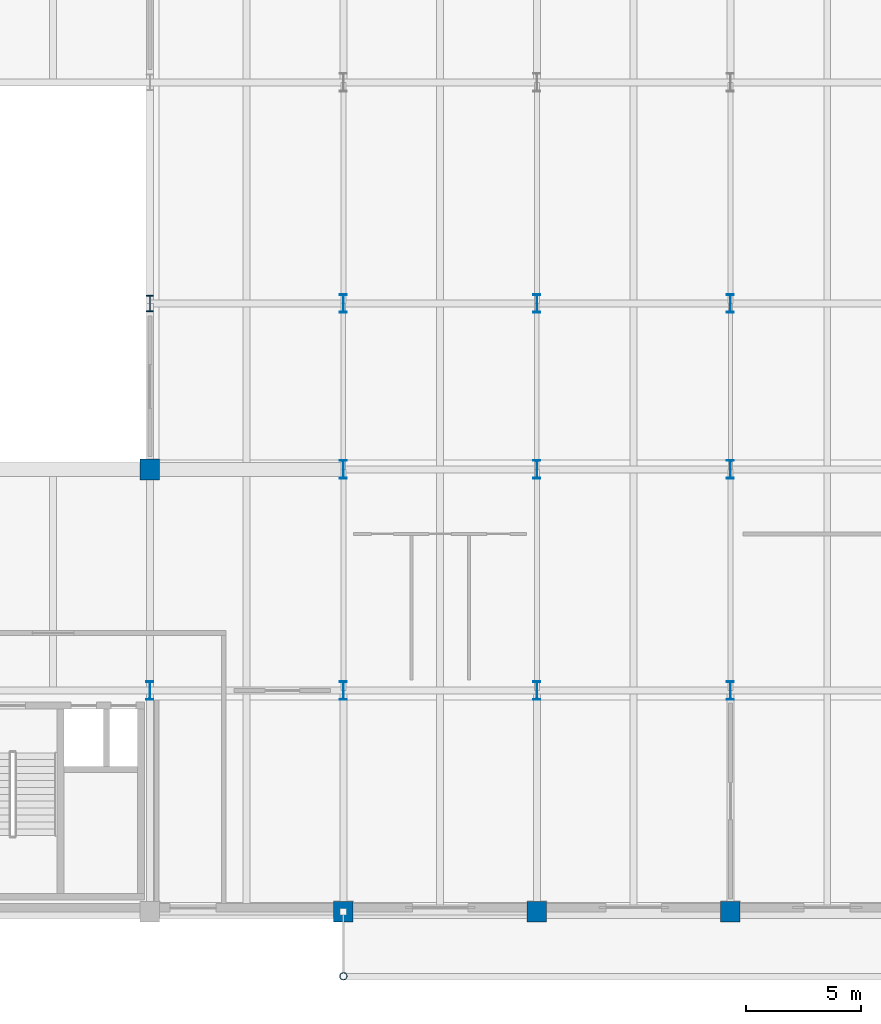
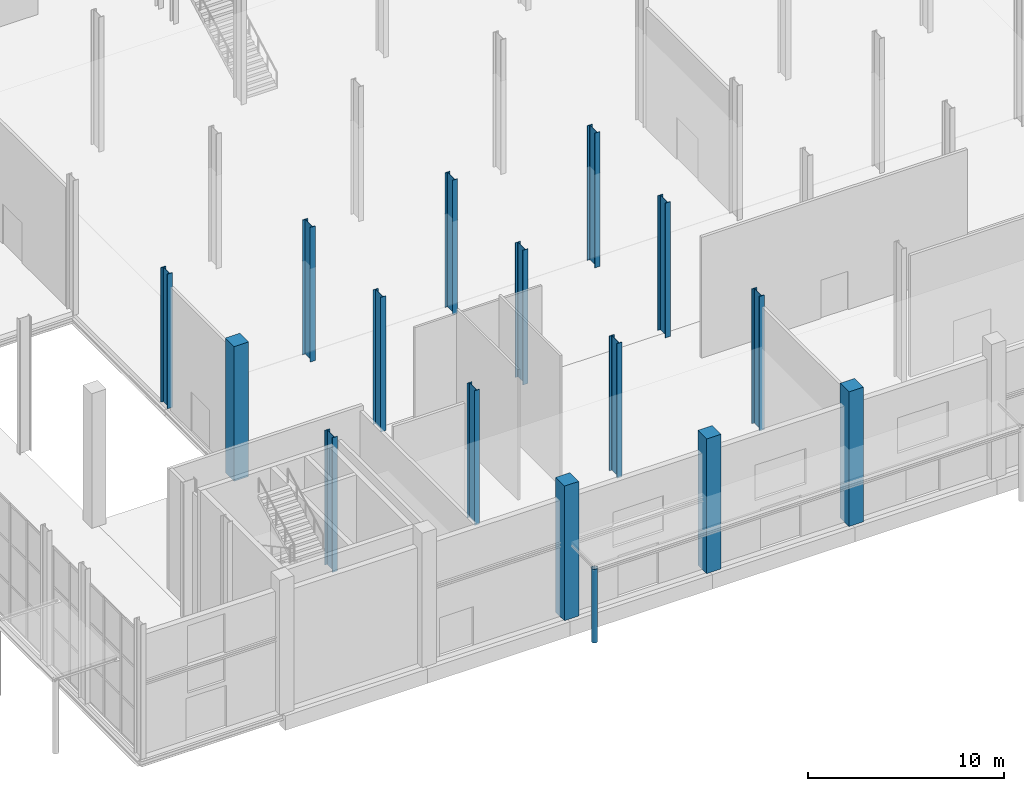
# One storey, part 2 of 131: 16 columns.
"""IFC4 building model written with IfcOpenShell, lengths in metres."""

from ifc_helpers import new_model, si_unit, direction, frame, origin, origin_2d, place, context, subcontext, project, spatial, rectangle, hollow_circle, i_section, extrude, material, material_profile, profile_set, type_object, element, save


model = new_model("IFC4")

# Units and contexts
model_context = context("Model", 3, precision=1e-05, world=origin(), true_north=direction((0.0, 1.0)))
body_context = subcontext(model_context, "Body", "Model", "MODEL_VIEW")
ifc_project = project(units=[si_unit("LENGTHUNIT", "METRE"), si_unit("AREAUNIT", "SQUARE_METRE"), si_unit("VOLUMEUNIT", "CUBIC_METRE"), si_unit("PLANEANGLEUNIT", "RADIAN"), si_unit("MASSUNIT", "GRAM", prefix="KILO")], contexts=[model_context])

# Site, building, storey
site_placement = place(None, origin())
site = spatial("IfcSite", under=ifc_project, at=site_placement, CompositionType="ELEMENT")
building_placement = place(site_placement, origin())
building = spatial("IfcBuilding", under=site, at=building_placement, Name="Veltarok Museum of Natural Sciences", CompositionType="ELEMENT")
storey_placement = place(building_placement, origin())
storey = spatial("IfcBuildingStorey", under=building, at=storey_placement, Name="L00", CompositionType="ELEMENT", Elevation=0.0)

# Columns
ifc_material_1 = material(Name="Steel S355J2", Category="steel")
ifc_material_profile_1 = material_profile(ifc_material_1, hollow_circle(Radius=0.161865234375, WallThickness=0.01611328125, at=origin_2d()), Name="CHS 323.9x16")
ifc_profile_set_1 = profile_set([ifc_material_profile_1], Name="Steel S355J2")
column_type_1 = type_object("IfcColumnType", Name="Canopy Support Column CHS 323.9x16", PredefinedType="COLUMN", material=ifc_profile_set_1)
column_1_placement = place(storey_placement, frame((48.39990234375, -2.800048828125, 0.0), z_axis=(0.0, 0.0, 1.0), x_axis=(1.0, 0.0, 0.0)))
element("IfcColumn", 1, at=column_1_placement, inside=storey, type_object=column_type_1, Name="Entrance Canopy Column CN-S1", PredefinedType="COLUMN", context=body_context, shape_type="SweptSolid", body=[
    extrude(hollow_circle(Radius=0.161865234375, WallThickness=0.01611328125, at=origin_2d()), origin(), (0.0, 0.0, 1.0), 4.60009765625),
])
ifc_material_2 = material(Name="Concrete C40/50", Category="concrete")
ifc_material_profile_2 = material_profile(ifc_material_2, rectangle(XDim=0.85009765625, YDim=0.89990234375, at=origin_2d()), Name="RC 850x900")
ifc_profile_set_2 = profile_set([ifc_material_profile_2], Name="Concrete C40/50")
column_type_2 = type_object("IfcColumnType", Name="Exposed Cabinet Grid Column RC 850x900", PredefinedType="COLUMN", material=ifc_profile_set_2)
for number, where, z_axis, x_axis, name in (
    (2, (40.0, 19.199951171875, 0.0), (0.0, 0.0, 1.0), (1.0, 0.0, 0.0), "Column COL-CAB01 L00 5/C"),
    (3, (48.39990234375, 0.0, 0.0), (0.0, 0.0, 1.0), (1.0, 0.0, 0.0), "Column COL-CAB01 L00 6/A"),
    (4, (56.800048828125, 0.0, 0.0), (0.0, 0.0, 1.0), (1.0, 0.0, 0.0), "Column COL-CAB01 L00 7/A"),
    (5, (65.199951171875, 0.0, 0.0), (0.0, 0.0, 1.0), (1.0, 0.0, 0.0), "Column COL-CAB01 L00 8/A"),
):
    element("IfcColumn", number, at=place(storey_placement, frame(where, z_axis=z_axis, x_axis=x_axis)), inside=storey, type_object=column_type_2, Name=name, PredefinedType="COLUMN", context=body_context, shape_type="SweptSolid", body=[
        extrude(rectangle(XDim=0.85009765625, YDim=0.89990234375, at=origin_2d()), origin(), (0.0, 0.0, 1.0), 8.39990234375),
    ])
ifc_material_profile_3 = material_profile(ifc_material_1, i_section(OverallWidth=0.300048828125, OverallDepth=0.699951171875, WebThickness=0.01708984375, FlangeThickness=0.031982421875, FilletRadius=0.027099609375, at=origin_2d()), Name="HEB 700")
ifc_profile_set_3 = profile_set([ifc_material_profile_3], Name="Steel S355J2")
column_type_3 = type_object("IfcColumnType", Name="Perimeter Steel Column HEB 700", PredefinedType="COLUMN", material=ifc_profile_set_3)
column_2_placement = place(storey_placement, frame((40.0, 26.39990234375, 0.0), z_axis=(0.0, 0.0, 1.0), x_axis=(1.0, 0.0, 0.0)))
element("IfcColumn", 6, at=column_2_placement, inside=storey, type_object=column_type_3, Name="Column COL-EXT01 L00 5/D", PredefinedType="COLUMN", context=body_context, shape_type="SweptSolid", body=[
    extrude(i_section(OverallWidth=0.300048828125, OverallDepth=0.699951171875, WebThickness=0.01708984375, FlangeThickness=0.031982421875, FilletRadius=0.027099609375, at=origin_2d()), origin(), (0.0, 0.0, 1.0), 8.39990234375),
])
ifc_material_profile_4 = material_profile(ifc_material_1, i_section(OverallWidth=0.300048828125, OverallDepth=0.800048828125, WebThickness=0.017578125, FlangeThickness=0.032958984375, FilletRadius=0.030029296875, at=origin_2d()), Name="HEB 800")
ifc_profile_set_4 = profile_set([ifc_material_profile_4], Name="Steel S355J2")
column_type_4 = type_object("IfcColumnType", Name="Primary Frame Column HEB 800", PredefinedType="COLUMN", material=ifc_profile_set_4)
for number, where, z_axis, x_axis, name in (
    (7, (40.0, 9.60009765625, 0.0), (0.0, 0.0, 1.0), (1.0, 0.0, 0.0), "Column COL-S02 L00 5/B"),
    (8, (48.39990234375, 9.60009765625, 0.0), (0.0, 0.0, 1.0), (1.0, 0.0, 0.0), "Column COL-S02 L00 6/B"),
    (9, (48.39990234375, 19.199951171875, 0.0), (0.0, 0.0, 1.0), (1.0, 0.0, 0.0), "Column COL-S02 L00 6/C"),
    (10, (48.39990234375, 26.39990234375, 0.0), (0.0, 0.0, 1.0), (1.0, 0.0, 0.0), "Column COL-S02 L00 6/D"),
    (11, (56.800048828125, 9.60009765625, 0.0), (0.0, 0.0, 1.0), (1.0, 0.0, 0.0), "Column COL-S02 L00 7/B"),
    (12, (56.800048828125, 19.199951171875, 0.0), (0.0, 0.0, 1.0), (1.0, 0.0, 0.0), "Column COL-S02 L00 7/C"),
    (13, (56.800048828125, 26.39990234375, 0.0), (0.0, 0.0, 1.0), (1.0, 0.0, 0.0), "Column COL-S02 L00 7/D"),
    (14, (65.199951171875, 9.60009765625, 0.0), (0.0, 0.0, 1.0), (1.0, 0.0, 0.0), "Column COL-S02 L00 8/B"),
    (15, (65.199951171875, 19.199951171875, 0.0), (0.0, 0.0, 1.0), (1.0, 0.0, 0.0), "Column COL-S02 L00 8/C"),
    (16, (65.199951171875, 26.39990234375, 0.0), (0.0, 0.0, 1.0), (1.0, 0.0, 0.0), "Column COL-S02 L00 8/D"),
):
    element("IfcColumn", number, at=place(storey_placement, frame(where, z_axis=z_axis, x_axis=x_axis)), inside=storey, type_object=column_type_4, Name=name, PredefinedType="COLUMN", context=body_context, shape_type="SweptSolid", body=[
        extrude(i_section(OverallWidth=0.300048828125, OverallDepth=0.800048828125, WebThickness=0.017578125, FlangeThickness=0.032958984375, FilletRadius=0.030029296875, at=origin_2d()), origin(), (0.0, 0.0, 1.0), 8.39990234375),
    ])

save(model, "model.ifc")
